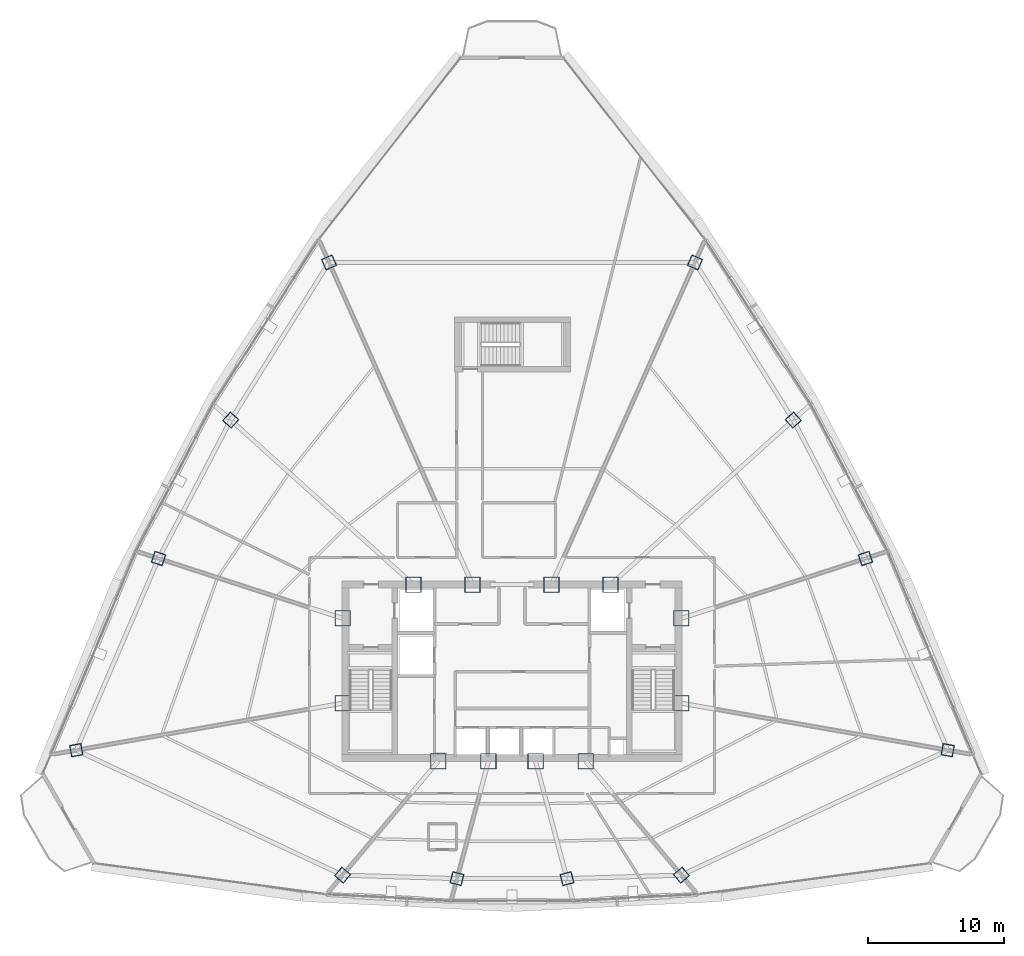
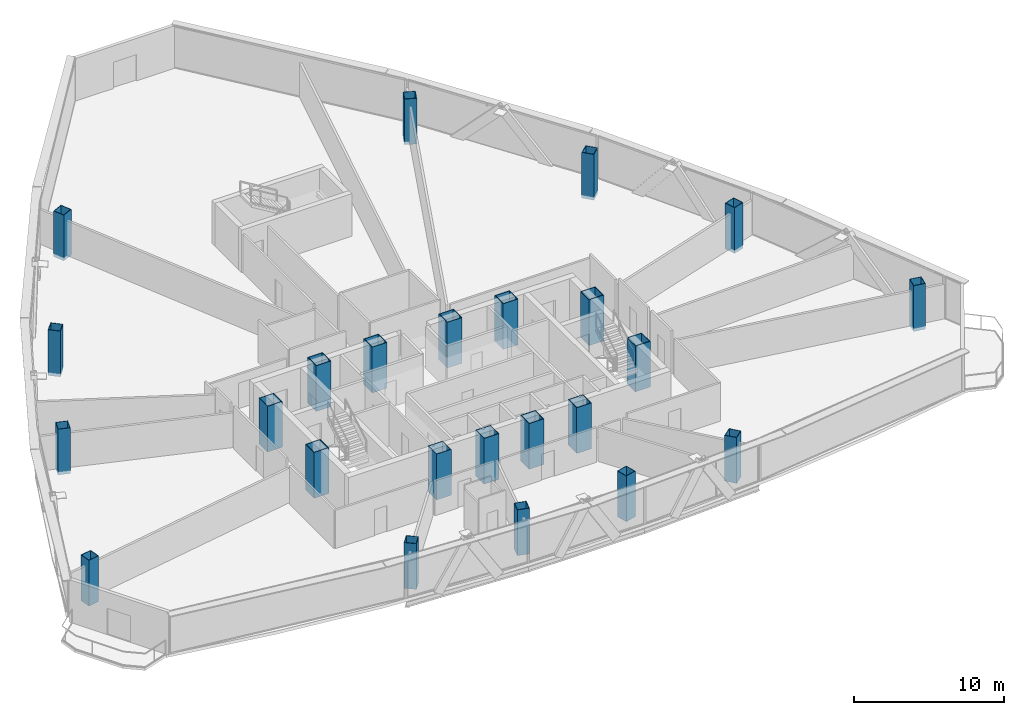
# One storey, part 1 of 37: 24 columns.
"""IFC4 building model written with IfcOpenShell, lengths in metres."""

from ifc_helpers import new_model, si_unit, direction, frame, origin, origin_2d, place, context, subcontext, project, spatial, hollow_rectangle, extrude, source, transform, mapped, material, material_profile, profile_set, type_object, element, save


model = new_model("IFC4")

# Units and contexts
model_context = context("Model", 3, precision=1e-05, world=origin(), true_north=direction((0.0, 1.0)))
body_context = subcontext(model_context, "Body", "Model", "MODEL_VIEW")
ifc_project = project(units=[si_unit("LENGTHUNIT", "METRE"), si_unit("AREAUNIT", "SQUARE_METRE"), si_unit("VOLUMEUNIT", "CUBIC_METRE"), si_unit("PLANEANGLEUNIT", "RADIAN"), si_unit("MASSUNIT", "GRAM", prefix="KILO"), si_unit("THERMODYNAMICTEMPERATUREUNIT", "KELVIN"), si_unit("POWERUNIT", "WATT")], contexts=[model_context])

# Site, building, storey
site_placement = place(None, origin())
site = spatial("IfcSite", under=ifc_project, at=site_placement, CompositionType="ELEMENT")
building_placement = place(site_placement, origin())
building = spatial("IfcBuilding", under=site, at=building_placement, Name="Yunzhuo Pagoda Commons", CompositionType="ELEMENT")
storey_placement = place(building_placement, frame((0.0, 0.0, 259.449951171875)))
storey = spatial("IfcBuildingStorey", under=building, at=storey_placement, Name="L65", CompositionType="ELEMENT", Elevation=259.449951171875)

# Columns
ifc_material_1 = material(Name="Structural steel Q420B", Category="steel")
ifc_material_profile_1 = material_profile(ifc_material_1, hollow_rectangle(XDim=1.14990234375, YDim=1.14990234375, WallThickness=0.048095703125, at=origin_2d()), Name="Structural steel Q420B")
ifc_profile_set_1 = profile_set([ifc_material_profile_1], Name="Structural steel Q420B")
column_type_1 = type_object("IfcColumnType", Name="C-COR Column BOX 1150x1150x48", PredefinedType="COLUMN", material=ifc_profile_set_1)
shared_shape_1 = source(origin(), body_context, "Body", "SweptSolid", [
    extrude(hollow_rectangle(XDim=1.14990234375, YDim=1.14990234375, WallThickness=0.048095703125, at=origin_2d()), origin(), (0.0, 0.0, 1.0), 3.72998046875),
])
for number, where, z_axis, x_axis, name in (
    (1, (42.587890625, 27.25, -0.260009765625), (0.0, 0.0, 1.0), (1.0, 0.0, 0.0), "L65 core composite column F1C1"),
    (2, (46.27197265625, 27.25, -0.260009765625), (0.0, 0.0, 1.0), (1.0, 0.0, 0.0), "L65 core composite column F1C2"),
    (3, (49.728515625, 27.25, -0.260009765625), (0.0, 0.0, 1.0), (1.0, 0.0, 0.0), "L65 core composite column F1C3"),
    (4, (53.412109375, 27.25, -0.260009765625), (0.0, 0.0, 1.0), (1.0, 0.0, 0.0), "L65 core composite column F1C4"),
    (5, (60.39990234375, 31.513427734375, -0.260009765625), (0.0, 0.0, 1.0), (1.0, 0.0, 0.0), "L65 core composite column F2C1"),
    (6, (60.39990234375, 37.72900390625, -0.260009765625), (0.0, 0.0, 1.0), (1.0, 0.0, 0.0), "L65 core composite column F2C2"),
    (7, (55.218994140625, 40.199951171875, -0.260009765625), (0.0, 0.0, 1.0), (1.0, 0.0, 0.0), "L65 core composite column F2C3"),
    (8, (50.89404296875, 40.199951171875, -0.260009765625), (0.0, 0.0, 1.0), (1.0, 0.0, 0.0), "L65 core composite column F2C4"),
    (9, (45.10595703125, 40.199951171875, -0.260009765625), (0.0, 0.0, 1.0), (1.0, 0.0, 0.0), "L65 core composite column F3C1"),
    (10, (40.781005859375, 40.199951171875, -0.260009765625), (0.0, 0.0, 1.0), (1.0, 0.0, 0.0), "L65 core composite column F3C2"),
    (11, (35.60009765625, 37.72900390625, -0.260009765625), (0.0, 0.0, 1.0), (1.0, 0.0, 0.0), "L65 core composite column F3C3"),
    (12, (35.60009765625, 31.513427734375, -0.260009765625), (0.0, 0.0, 1.0), (1.0, 0.0, 0.0), "L65 core composite column F3C4"),
):
    element("IfcColumn", number, at=place(storey_placement, frame(where, z_axis=z_axis, x_axis=x_axis)), inside=storey, type_object=column_type_1, Name=name, PredefinedType="COLUMN", context=body_context, shape_type="MappedRepresentation", body=[
        mapped(shared_shape_1, transform((0.0, 0.0, 0.0), scale=1.0)),
    ])
ifc_material_2 = material(Name="Structural steel Q355B", Category="steel")
ifc_material_profile_2 = material_profile(ifc_material_2, hollow_rectangle(XDim=0.85009765625, YDim=0.85009765625, WallThickness=0.033935546875, at=origin_2d()), Name="Structural steel Q355B")
ifc_profile_set_2 = profile_set([ifc_material_profile_2], Name="Structural steel Q355B")
column_type_2 = type_object("IfcColumnType", Name="C-Z5 Column BOX 850x850x34", PredefinedType="COLUMN", material=ifc_profile_set_2)
shared_shape_2 = source(origin(), body_context, "Body", "SweptSolid", [
    extrude(hollow_rectangle(XDim=0.85009765625, YDim=0.85009765625, WallThickness=0.033935546875, at=origin_2d()), origin(), (0.0, 0.0, 1.0), 3.72998046875),
])
for number, where, z_axis, x_axis, name in (
    (13, (35.593017578125, 18.913818359375, -0.260009765625), (0.0, 0.0, 1.0), (0.766044443119, -0.642787609687, 0.0), "L65 tower column F1C1"),
    (14, (43.968505859375, 18.654052734375, -0.260009765625), (0.0, 0.0, 1.0), (0.965925826289, -0.258819045103, 0.0), "L65 tower column F1C2"),
    (15, (52.031494140625, 18.654052734375, -0.260009765625), (0.0, 0.0, 1.0), (0.965925826289, 0.258819045103, 0.0), "L65 tower column F1C3"),
    (16, (60.406982421875, 18.913818359375, -0.260009765625), (0.0, 0.0, 1.0), (0.766044443119, 0.642787609687, 0.0), "L65 tower column F1C4"),
    (17, (79.93408203125, 28.069091796875, -0.260009765625), (0.0, 0.0, 1.0), (0.173648177667, 0.984807753012, 0.0), "L65 tower column F2C1"),
    (18, (73.898681640625, 42.114990234375, -0.260009765625), (0.0, 0.0, 1.0), (-0.309016994375, 0.951056516295, 0.0), "L65 tower column F2C2"),
    (19, (68.61181640625, 52.259033203125, -0.260009765625), (0.0, 0.0, 1.0), (-0.669130606359, 0.743144825477, 0.0), "L65 tower column F2C3"),
    (20, (61.40673828125, 63.81201171875, -0.260009765625), (0.0, 0.0, 1.0), (-0.913545457643, 0.406736643076, 0.0), "L65 tower column F2C4"),
    (21, (34.59326171875, 63.81201171875, -0.260009765625), (0.0, 0.0, 1.0), (-0.913545457643, -0.406736643076, 0.0), "L65 tower column F3C1"),
    (22, (27.38818359375, 52.259033203125, -0.260009765625), (0.0, 0.0, 1.0), (-0.669130606359, -0.743144825477, 0.0), "L65 tower column F3C2"),
    (23, (22.101806640625, 42.114990234375, -0.260009765625), (0.0, 0.0, 1.0), (-0.309016994375, -0.951056516295, 0.0), "L65 tower column F3C3"),
    (24, (16.06591796875, 28.069091796875, -0.260009765625), (0.0, 0.0, 1.0), (0.173648177667, -0.984807753012, 0.0), "L65 tower column F3C4"),
):
    element("IfcColumn", number, at=place(storey_placement, frame(where, z_axis=z_axis, x_axis=x_axis)), inside=storey, type_object=column_type_2, Name=name, PredefinedType="COLUMN", context=body_context, shape_type="MappedRepresentation", body=[
        mapped(shared_shape_2, transform((0.0, 0.0, 0.0), scale=1.0)),
    ])

save(model, "model.ifc")
